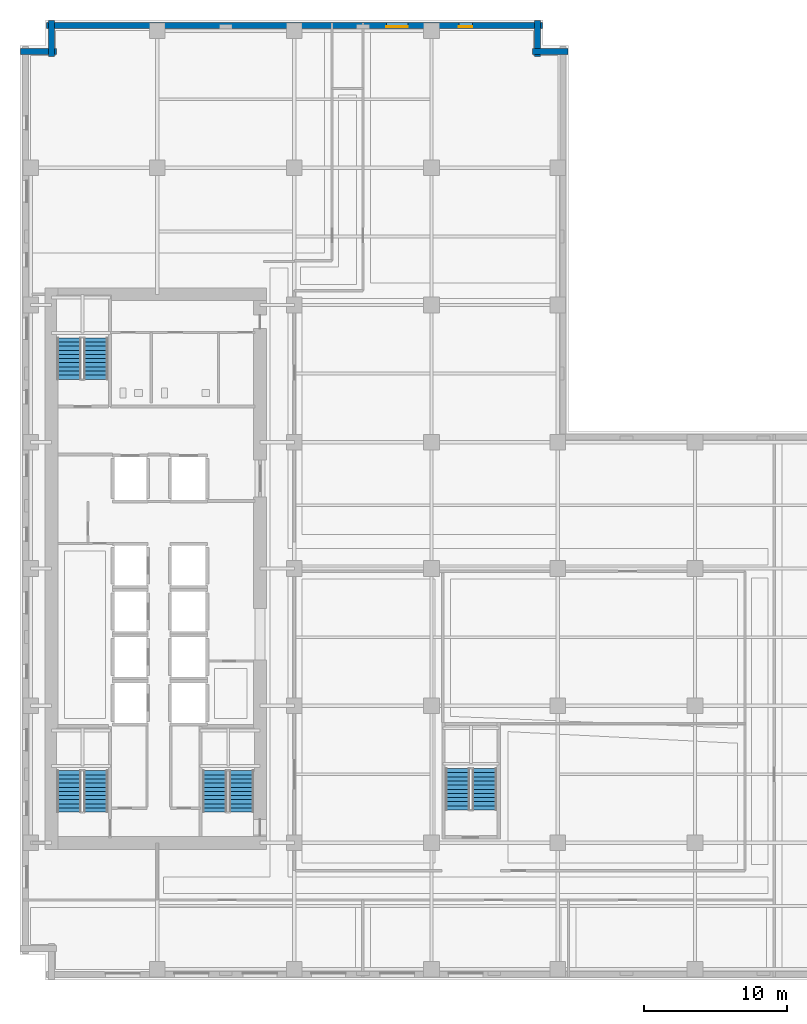
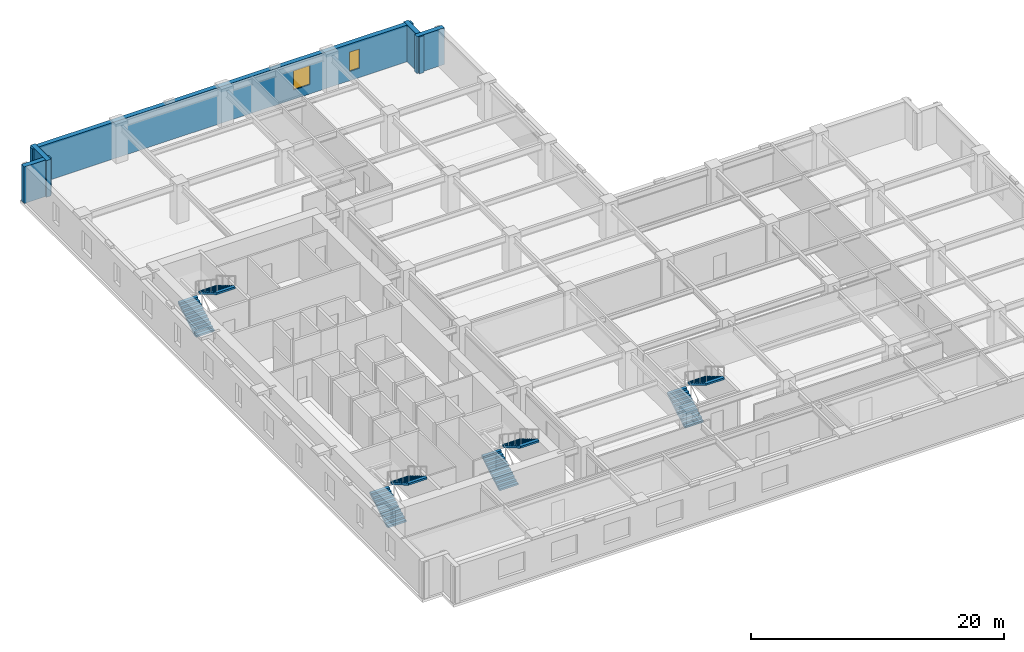
# One storey, part 8 of 13: 8 stair flights, 5 walls, 2 windows, 2 openings, 4 elements without a shape of their own.
"""IFC4 building model written with IfcOpenShell, lengths in metres."""

from ifc_helpers import new_model, si_unit, direction, frame, frame_2d, origin, place, context, subcontext, project, spatial, polyline, rectangle, outline, extrude, material, layer, layer_set, type_object, element, fill, aggregate, save


model = new_model("IFC4")

# Units and contexts
model_context = context("Model", 3, precision=1e-05, world=origin(), true_north=direction((0.0, 1.0)))
body_context = subcontext(model_context, "Body", "Model", "MODEL_VIEW")
ifc_project = project(units=[si_unit("LENGTHUNIT", "METRE"), si_unit("AREAUNIT", "SQUARE_METRE"), si_unit("VOLUMEUNIT", "CUBIC_METRE"), si_unit("PLANEANGLEUNIT", "RADIAN"), si_unit("MASSUNIT", "GRAM", prefix="KILO")], contexts=[model_context])

# Site, building, storey
site_placement = place(None, origin())
site = spatial("IfcSite", under=ifc_project, at=site_placement, CompositionType="ELEMENT")
building_placement = place(site_placement, origin())
building = spatial("IfcBuilding", under=site, at=building_placement, Name="Norrvale University Quadrangle", CompositionType="ELEMENT")
storey_placement = place(building_placement, frame((0.0, 0.0, 69.800048828125)))
storey = spatial("IfcBuildingStorey", under=building, at=storey_placement, Name="L17", CompositionType="ELEMENT", Elevation=69.800048828125)

# Walls
ifc_material_1 = material(Name="Buff Norman Clay Brick Masonry", Category="masonry")
ifc_layer = layer(ifc_material_1, 0.419921875, Name="Buff Norman Clay Brick Masonry")
ifc_layer_set = layer_set([ifc_layer], Name="Buff Norman Clay Brick Masonry")
wall_type = type_object("IfcWallType", Name="Wall Buff Brick 420", PredefinedType="SOLIDWALL", material=ifc_layer_set)
for number, where, z_axis, x_axis, name in (
    (1, (38.360107421875, 65.010009765625, 0.0), (0.0, 0.0, 1.0), (-1.0, 0.0, 0.0), "Exterior Brick Facade Wall L17-09.1"),
    (2, (36.2099609375, 64.659912109375, 0.0), (0.0, 0.0, 1.0), (0.0, 1.0, 0.0), "Exterior Brick Facade Wall L17-10.1"),
):
    element("IfcWall", number, at=place(storey_placement, frame(where, z_axis=z_axis, x_axis=x_axis)), inside=storey, type_object=wall_type, Name=name, PredefinedType="SOLIDWALL", context=body_context, shape_type="SweptSolid", body=[
        extrude(rectangle(XDim=2.5, YDim=0.419921875, at=frame_2d((1.25, 0.0))), origin(), (0.0, 0.0, 1.0), 3.5400390625),
    ])

# Wall, openings, windows
wall_placement = place(storey_placement, frame((36.56005859375, 66.81005859375, 0.0), z_axis=(0.0, 0.0, 1.0), x_axis=(-1.0, 0.0, 0.0)))
wall = element("IfcWall", 3, at=wall_placement, inside=storey, type_object=wall_type, Name="Exterior Brick Facade Wall L17-11.1", PredefinedType="SOLIDWALL", context=body_context, shape_type="SweptSolid", body=[
    extrude(rectangle(XDim=34.719970703125, YDim=0.419921875, at=frame_2d((17.35986328125, 0.0))), origin(), (0.0, 0.0, 1.0), 3.5400390625),
])
opening_1_placement = place(wall_placement, frame((4.885009765625, 0.0, 0.89990234375)))
opening_1 = element("IfcOpeningElement", 4, at=opening_1_placement, cuts=wall, Name="Opening W04", PredefinedType="OPENING", context=body_context, shape_type="SweptSolid", body=[
    extrude(rectangle(XDim=0.949951171875, YDim=1.85009765625, at=frame_2d((0.47509765625, 0.925048828125))), frame((0.0, 0.221923828125, 0.0), z_axis=(0.0, -1.0, 0.0), x_axis=(1.0, 0.0, 0.0)), (0.0, 0.0, 1.0), 0.44384765625),
])
opening_2_placement = place(wall_placement, frame((9.409912109375, 0.0, 0.89990234375)))
opening_2 = element("IfcOpeningElement", 5, at=opening_2_placement, cuts=wall, Name="Opening W03", PredefinedType="OPENING", context=body_context, shape_type="SweptSolid", body=[
    extrude(rectangle(XDim=1.5, YDim=1.85009765625, at=frame_2d((0.75, 0.925048828125))), frame((0.0, 0.221923828125, 0.0), z_axis=(0.0, -1.0, 0.0), x_axis=(1.0, 0.0, 0.0)), (0.0, 0.0, 1.0), 0.44384765625),
])
ifc_material_2 = material(Name="Triple Low-E Argon Glazing", Category="glass")
window_type_1 = type_object("IfcWindowType", Name="Window Narrow Pier 950x2300", PartitioningType="SINGLE_PANEL", PredefinedType="WINDOW", material=ifc_material_2)
window_1_placement = place(opening_1_placement, origin())
window_1 = element("IfcWindow", 6, at=window_1_placement, inside=storey, type_object=window_type_1, Name="Window Narrow Pier 950x2300 WIN-L17-E11-1-01", OverallHeight=1.85009765625, OverallWidth=0.949951171875, PartitioningType="SINGLE_PANEL", PredefinedType="WINDOW", context=body_context, shape_type="SweptSolid", body=[
    extrude(rectangle(XDim=0.949951171875, YDim=1.85009765625, at=frame_2d((0.47509765625, 0.925048828125))), frame((0.0, 0.110107421875, 0.0), z_axis=(0.0, -1.0, 0.0), x_axis=(1.0, 0.0, 0.0)), (0.0, 0.0, 1.0), 0.06005859375),
])
fill(opening_1, window_1)
window_type_2 = type_object("IfcWindowType", Name="Window Studio 1500x2300", PartitioningType="DOUBLE_PANEL_VERTICAL", PredefinedType="WINDOW", material=ifc_material_2)
window_2_placement = place(opening_2_placement, origin())
window_2 = element("IfcWindow", 7, at=window_2_placement, inside=storey, type_object=window_type_2, Name="Window Studio 1500x2300 WIN-L17-E11-1-02", OverallHeight=1.85009765625, OverallWidth=1.5, PartitioningType="DOUBLE_PANEL_VERTICAL", PredefinedType="WINDOW", context=body_context, shape_type="SweptSolid", body=[
    extrude(rectangle(XDim=1.5, YDim=1.85009765625, at=frame_2d((0.75, 0.925048828125))), frame((0.0, 0.110107421875, 0.0), z_axis=(0.0, -1.0, 0.0), x_axis=(1.0, 0.0, 0.0)), (0.0, 0.0, 1.0), 0.06005859375),
])
fill(opening_2, window_2)

# Walls
for number, where, z_axis, x_axis, name in (
    (8, (2.18994140625, 67.159912109375, 0.0), (0.0, 0.0, 1.0), (0.0, -1.0, 0.0), "Exterior Brick Facade Wall L17-12.1"),
    (9, (2.5400390625, 65.010009765625, 0.0), (0.0, 0.0, 1.0), (-1.0, 0.0, 0.0), "Exterior Brick Facade Wall L17-13.1"),
):
    element("IfcWall", number, at=place(storey_placement, frame(where, z_axis=z_axis, x_axis=x_axis)), inside=storey, type_object=wall_type, Name=name, PredefinedType="SOLIDWALL", context=body_context, shape_type="SweptSolid", body=[
        extrude(rectangle(XDim=2.5, YDim=0.419921875, at=frame_2d((1.25, 0.0))), origin(), (0.0, 0.0, 1.0), 3.5400390625),
    ])

# Stair, stair flights
ifc_material_3 = material(Name="Concrete C40/50", Category="concrete")
stair_type = type_object("IfcStairType", Name="Stair Tower Typ 3800", PredefinedType="TWO_STRAIGHT_RUN_STAIR", material=ifc_material_3)
stair_1_placement = place(storey_placement, origin())
stair_1 = element("IfcStair", 10, at=stair_1_placement, inside=storey, type_object=stair_type, Name="Exit Stair ST-01 L17", PredefinedType="TWO_STRAIGHT_RUN_STAIR")
stair_flight_type = type_object("IfcStairFlightType", Name="Flight Typ 1500", PredefinedType="STRAIGHT", material=ifc_material_3)
stair_flight_1_placement = place(storey_placement, frame((3.429931640625, 11.75, 0.0), z_axis=(0.0, 0.0, 1.0), x_axis=(0.0, 1.0, 0.0)))
stair_flight_1 = element("IfcStairFlight", 11, at=stair_flight_1_placement, type_object=stair_flight_type, Name="Exit Stair ST-01 L17 Lower Flight", NumberOfRisers=11, NumberOfTreads=10, PredefinedType="STRAIGHT", RiserHeight=0.172727, TreadLength=0.29, context=body_context, shape_type="SweptSolid", body=[
    extrude(outline(polyline([(0.0, 0.0), (0.0, 0.172607421875), (0.2900390625, 0.172607421875), (0.2900390625, 0.345458984375), (0.580078125, 0.345458984375), (0.580078125, 0.51806640625), (0.8701171875, 0.51806640625), (0.8701171875, 0.69091796875), (1.159912109375, 0.69091796875), (1.159912109375, 0.863525390625), (1.449951171875, 0.863525390625), (1.449951171875, 1.036376953125), (1.739990234375, 1.036376953125), (1.739990234375, 1.208984375), (2.030029296875, 1.208984375), (2.030029296875, 1.3818359375), (2.320068359375, 1.3818359375), (2.320068359375, 1.554443359375), (2.610107421875, 1.554443359375), (2.610107421875, 1.727294921875), (2.89990234375, 1.727294921875), (2.89990234375, 1.89990234375), (2.89990234375, 1.552734375), (0.29296875, 0.0), (0.0, 0.0)])), frame((0.0, 0.83984375, 0.0), z_axis=(0.0, -1.0, 0.0), x_axis=(1.0, 0.0, 0.0)), (0.0, 0.0, 1.0), 1.679931640625),
])
stair_flight_2_placement = place(storey_placement, frame((5.320068359375, 14.64990234375, 1.89990234375), z_axis=(0.0, 0.0, 1.0), x_axis=(0.0, -1.0, 0.0)))
stair_flight_2 = element("IfcStairFlight", 12, at=stair_flight_2_placement, type_object=stair_flight_type, Name="Exit Stair ST-01 L17 Upper Flight", NumberOfRisers=11, NumberOfTreads=10, PredefinedType="STRAIGHT", RiserHeight=0.172727, TreadLength=0.29, context=body_context, shape_type="SweptSolid", body=[
    extrude(outline(polyline([(0.0, 0.0), (0.0, 0.172607421875), (0.2900390625, 0.172607421875), (0.2900390625, 0.345458984375), (0.580078125, 0.345458984375), (0.580078125, 0.51806640625), (0.8701171875, 0.51806640625), (0.8701171875, 0.69091796875), (1.159912109375, 0.69091796875), (1.159912109375, 0.863525390625), (1.449951171875, 0.863525390625), (1.449951171875, 1.036376953125), (1.739990234375, 1.036376953125), (1.739990234375, 1.208984375), (2.030029296875, 1.208984375), (2.030029296875, 1.3818359375), (2.320068359375, 1.3818359375), (2.320068359375, 1.554443359375), (2.610107421875, 1.554443359375), (2.610107421875, 1.727294921875), (2.89990234375, 1.727294921875), (2.89990234375, 1.89990234375), (2.89990234375, 1.552734375), (0.29296875, 0.0), (0.0, 0.0)])), frame((0.0, 0.83984375, 0.0), z_axis=(0.0, -1.0, 0.0), x_axis=(1.0, 0.0, 0.0)), (0.0, 0.0, 1.0), 1.679931640625),
])
aggregate(stair_1, [stair_flight_1, stair_flight_2])

stair_2_placement = place(storey_placement, origin())
stair_2 = element("IfcStair", 13, at=stair_2_placement, inside=storey, type_object=stair_type, Name="Exit Stair ST-02 L17", PredefinedType="TWO_STRAIGHT_RUN_STAIR")
stair_flight_3_placement = place(storey_placement, frame((3.429931640625, 42.050048828125, 0.0), z_axis=(0.0, 0.0, 1.0), x_axis=(0.0, 1.0, 0.0)))
stair_flight_3 = element("IfcStairFlight", 14, at=stair_flight_3_placement, type_object=stair_flight_type, Name="Exit Stair ST-02 L17 Lower Flight", NumberOfRisers=11, NumberOfTreads=10, PredefinedType="STRAIGHT", RiserHeight=0.172727, TreadLength=0.29, context=body_context, shape_type="SweptSolid", body=[
    extrude(outline(polyline([(0.0, 0.0), (0.0, 0.172607421875), (0.2900390625, 0.172607421875), (0.2900390625, 0.345458984375), (0.580078125, 0.345458984375), (0.580078125, 0.51806640625), (0.8701171875, 0.51806640625), (0.8701171875, 0.69091796875), (1.159912109375, 0.69091796875), (1.159912109375, 0.863525390625), (1.449951171875, 0.863525390625), (1.449951171875, 1.036376953125), (1.739990234375, 1.036376953125), (1.739990234375, 1.208984375), (2.030029296875, 1.208984375), (2.030029296875, 1.3818359375), (2.320068359375, 1.3818359375), (2.320068359375, 1.554443359375), (2.610107421875, 1.554443359375), (2.610107421875, 1.727294921875), (2.89990234375, 1.727294921875), (2.89990234375, 1.89990234375), (2.89990234375, 1.552734375), (0.29296875, 0.0), (0.0, 0.0)])), frame((0.0, 0.83984375, 0.0), z_axis=(0.0, -1.0, 0.0), x_axis=(1.0, 0.0, 0.0)), (0.0, 0.0, 1.0), 1.679931640625),
])
stair_flight_4_placement = place(storey_placement, frame((5.320068359375, 44.949951171875, 1.89990234375), z_axis=(0.0, 0.0, 1.0), x_axis=(0.0, -1.0, 0.0)))
stair_flight_4 = element("IfcStairFlight", 15, at=stair_flight_4_placement, type_object=stair_flight_type, Name="Exit Stair ST-02 L17 Upper Flight", NumberOfRisers=11, NumberOfTreads=10, PredefinedType="STRAIGHT", RiserHeight=0.172727, TreadLength=0.29, context=body_context, shape_type="SweptSolid", body=[
    extrude(outline(polyline([(0.0, 0.0), (0.0, 0.172607421875), (0.2900390625, 0.172607421875), (0.2900390625, 0.345458984375), (0.580078125, 0.345458984375), (0.580078125, 0.51806640625), (0.8701171875, 0.51806640625), (0.8701171875, 0.69091796875), (1.159912109375, 0.69091796875), (1.159912109375, 0.863525390625), (1.449951171875, 0.863525390625), (1.449951171875, 1.036376953125), (1.739990234375, 1.036376953125), (1.739990234375, 1.208984375), (2.030029296875, 1.208984375), (2.030029296875, 1.3818359375), (2.320068359375, 1.3818359375), (2.320068359375, 1.554443359375), (2.610107421875, 1.554443359375), (2.610107421875, 1.727294921875), (2.89990234375, 1.727294921875), (2.89990234375, 1.89990234375), (2.89990234375, 1.552734375), (0.29296875, 0.0), (0.0, 0.0)])), frame((0.0, 0.83984375, 0.0), z_axis=(0.0, -1.0, 0.0), x_axis=(1.0, 0.0, 0.0)), (0.0, 0.0, 1.0), 1.679931640625),
])
aggregate(stair_2, [stair_flight_3, stair_flight_4])

stair_3_placement = place(storey_placement, origin())
stair_3 = element("IfcStair", 16, at=stair_3_placement, inside=storey, type_object=stair_type, Name="Exit Stair ST-03 L17", PredefinedType="TWO_STRAIGHT_RUN_STAIR")
stair_flight_5_placement = place(storey_placement, frame((13.6298828125, 11.75, 0.0), z_axis=(0.0, 0.0, 1.0), x_axis=(0.0, 1.0, 0.0)))
stair_flight_5 = element("IfcStairFlight", 17, at=stair_flight_5_placement, type_object=stair_flight_type, Name="Exit Stair ST-03 L17 Lower Flight", NumberOfRisers=11, NumberOfTreads=10, PredefinedType="STRAIGHT", RiserHeight=0.172727, TreadLength=0.29, context=body_context, shape_type="SweptSolid", body=[
    extrude(outline(polyline([(0.0, 0.0), (0.0, 0.172607421875), (0.2900390625, 0.172607421875), (0.2900390625, 0.345458984375), (0.580078125, 0.345458984375), (0.580078125, 0.51806640625), (0.8701171875, 0.51806640625), (0.8701171875, 0.69091796875), (1.159912109375, 0.69091796875), (1.159912109375, 0.863525390625), (1.449951171875, 0.863525390625), (1.449951171875, 1.036376953125), (1.739990234375, 1.036376953125), (1.739990234375, 1.208984375), (2.030029296875, 1.208984375), (2.030029296875, 1.3818359375), (2.320068359375, 1.3818359375), (2.320068359375, 1.554443359375), (2.610107421875, 1.554443359375), (2.610107421875, 1.727294921875), (2.89990234375, 1.727294921875), (2.89990234375, 1.89990234375), (2.89990234375, 1.552734375), (0.29296875, 0.0), (0.0, 0.0)])), frame((0.0, 0.83984375, 0.0), z_axis=(0.0, -1.0, 0.0), x_axis=(1.0, 0.0, 0.0)), (0.0, 0.0, 1.0), 1.679931640625),
])
stair_flight_6_placement = place(storey_placement, frame((15.52001953125, 14.64990234375, 1.89990234375), z_axis=(0.0, 0.0, 1.0), x_axis=(0.0, -1.0, 0.0)))
stair_flight_6 = element("IfcStairFlight", 18, at=stair_flight_6_placement, type_object=stair_flight_type, Name="Exit Stair ST-03 L17 Upper Flight", NumberOfRisers=11, NumberOfTreads=10, PredefinedType="STRAIGHT", RiserHeight=0.172727, TreadLength=0.29, context=body_context, shape_type="SweptSolid", body=[
    extrude(outline(polyline([(0.0, 0.0), (0.0, 0.172607421875), (0.2900390625, 0.172607421875), (0.2900390625, 0.345458984375), (0.580078125, 0.345458984375), (0.580078125, 0.51806640625), (0.8701171875, 0.51806640625), (0.8701171875, 0.69091796875), (1.159912109375, 0.69091796875), (1.159912109375, 0.863525390625), (1.449951171875, 0.863525390625), (1.449951171875, 1.036376953125), (1.739990234375, 1.036376953125), (1.739990234375, 1.208984375), (2.030029296875, 1.208984375), (2.030029296875, 1.3818359375), (2.320068359375, 1.3818359375), (2.320068359375, 1.554443359375), (2.610107421875, 1.554443359375), (2.610107421875, 1.727294921875), (2.89990234375, 1.727294921875), (2.89990234375, 1.89990234375), (2.89990234375, 1.552734375), (0.29296875, 0.0), (0.0, 0.0)])), frame((0.0, 0.83984375, 0.0), z_axis=(0.0, -1.0, 0.0), x_axis=(1.0, 0.0, 0.0)), (0.0, 0.0, 1.0), 1.679931640625),
])
aggregate(stair_3, [stair_flight_5, stair_flight_6])

stair_4_placement = place(storey_placement, origin())
stair_4 = element("IfcStair", 19, at=stair_4_placement, inside=storey, type_object=stair_type, Name="Exit Stair ST-04 L17", PredefinedType="TWO_STRAIGHT_RUN_STAIR")
stair_flight_7_placement = place(storey_placement, frame((30.6298828125, 11.89990234375, 0.0), z_axis=(0.0, 0.0, 1.0), x_axis=(0.0, 1.0, 0.0)))
stair_flight_7 = element("IfcStairFlight", 20, at=stair_flight_7_placement, type_object=stair_flight_type, Name="Exit Stair ST-04 L17 Lower Flight", NumberOfRisers=11, NumberOfTreads=10, PredefinedType="STRAIGHT", RiserHeight=0.172727, TreadLength=0.29, context=body_context, shape_type="SweptSolid", body=[
    extrude(outline(polyline([(0.0, 0.0), (0.0, 0.172607421875), (0.2900390625, 0.172607421875), (0.2900390625, 0.345458984375), (0.580078125, 0.345458984375), (0.580078125, 0.51806640625), (0.8701171875, 0.51806640625), (0.8701171875, 0.69091796875), (1.159912109375, 0.69091796875), (1.159912109375, 0.863525390625), (1.449951171875, 0.863525390625), (1.449951171875, 1.036376953125), (1.739990234375, 1.036376953125), (1.739990234375, 1.208984375), (2.030029296875, 1.208984375), (2.030029296875, 1.3818359375), (2.320068359375, 1.3818359375), (2.320068359375, 1.554443359375), (2.610107421875, 1.554443359375), (2.610107421875, 1.727294921875), (2.89990234375, 1.727294921875), (2.89990234375, 1.89990234375), (2.89990234375, 1.552734375), (0.29296875, 0.0), (0.0, 0.0)])), frame((0.0, 0.83984375, 0.0), z_axis=(0.0, -1.0, 0.0), x_axis=(1.0, 0.0, 0.0)), (0.0, 0.0, 1.0), 1.679931640625),
])
stair_flight_8_placement = place(storey_placement, frame((32.52001953125, 14.800048828125, 1.89990234375), z_axis=(0.0, 0.0, 1.0), x_axis=(0.0, -1.0, 0.0)))
stair_flight_8 = element("IfcStairFlight", 21, at=stair_flight_8_placement, type_object=stair_flight_type, Name="Exit Stair ST-04 L17 Upper Flight", NumberOfRisers=11, NumberOfTreads=10, PredefinedType="STRAIGHT", RiserHeight=0.172727, TreadLength=0.29, context=body_context, shape_type="SweptSolid", body=[
    extrude(outline(polyline([(0.0, 0.0), (0.0, 0.172607421875), (0.2900390625, 0.172607421875), (0.2900390625, 0.345458984375), (0.580078125, 0.345458984375), (0.580078125, 0.51806640625), (0.8701171875, 0.51806640625), (0.8701171875, 0.69091796875), (1.159912109375, 0.69091796875), (1.159912109375, 0.863525390625), (1.449951171875, 0.863525390625), (1.449951171875, 1.036376953125), (1.739990234375, 1.036376953125), (1.739990234375, 1.208984375), (2.030029296875, 1.208984375), (2.030029296875, 1.3818359375), (2.320068359375, 1.3818359375), (2.320068359375, 1.554443359375), (2.610107421875, 1.554443359375), (2.610107421875, 1.727294921875), (2.89990234375, 1.727294921875), (2.89990234375, 1.89990234375), (2.89990234375, 1.552734375), (0.29296875, 0.0), (0.0, 0.0)])), frame((0.0, 0.83984375, 0.0), z_axis=(0.0, -1.0, 0.0), x_axis=(1.0, 0.0, 0.0)), (0.0, 0.0, 1.0), 1.679931640625),
])
aggregate(stair_4, [stair_flight_7, stair_flight_8])

save(model, "model.ifc")
